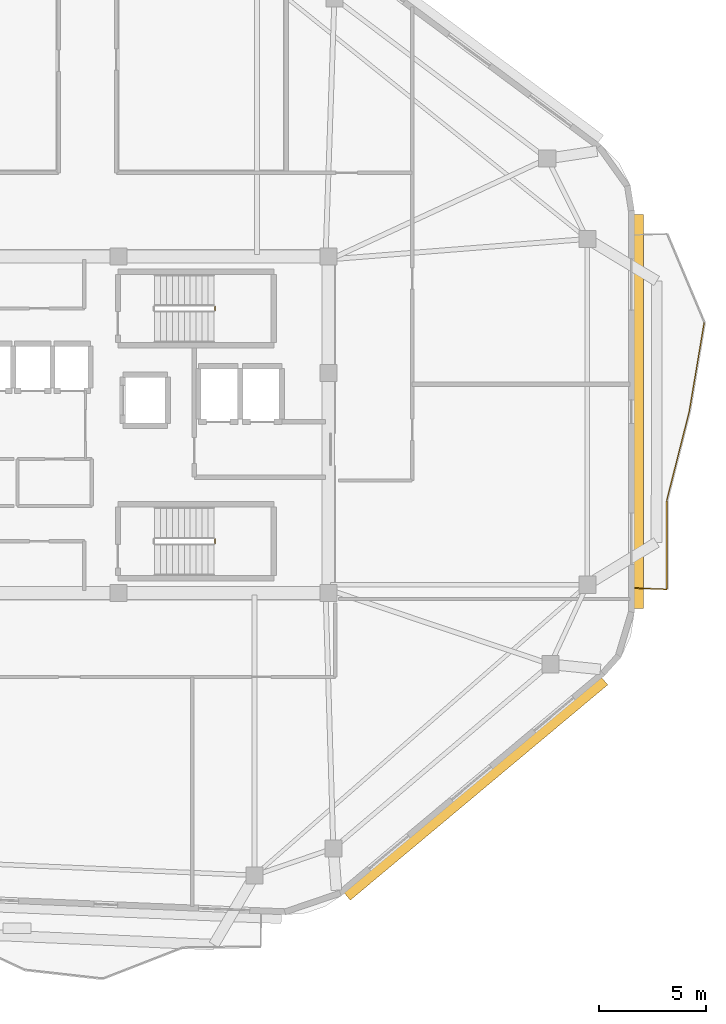
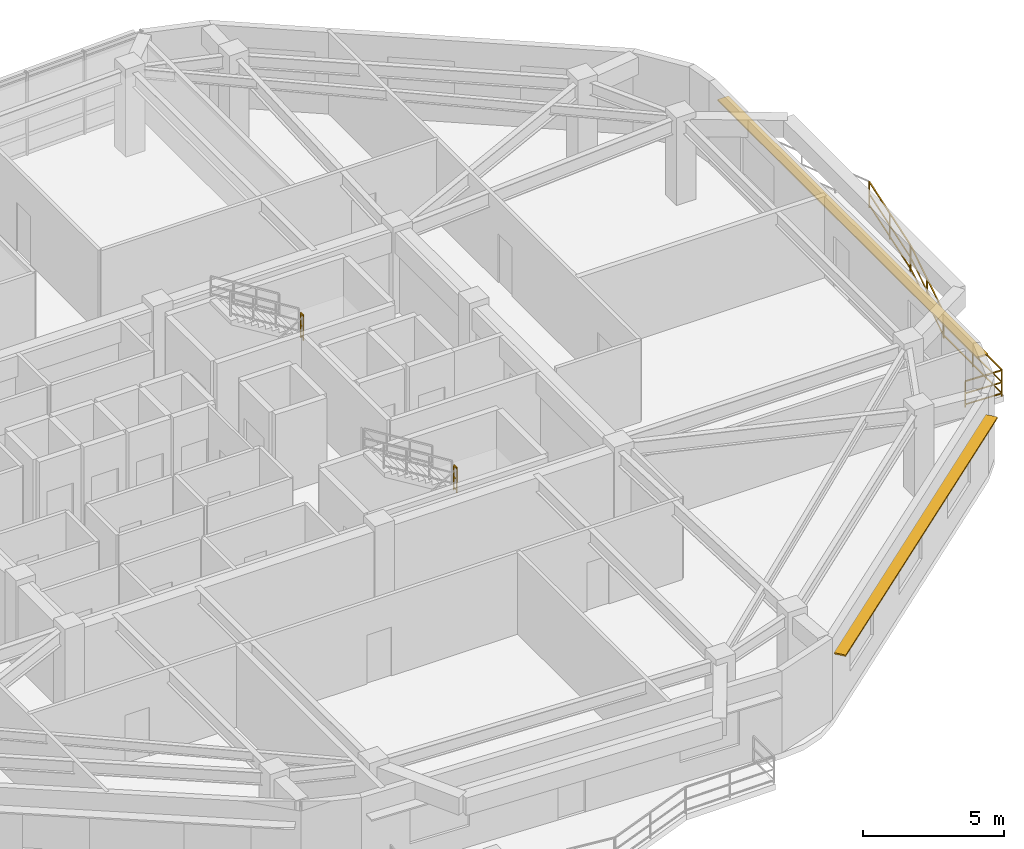
# One storey, part 11 of 12: 6 railings, 2 shading devices.
"""IFC4 building model written with IfcOpenShell, lengths in metres."""

from ifc_helpers import new_model, si_unit, direction, frame, origin, origin_2d, place, context, subcontext, project, spatial, rectangle, extrude, material, layer, layer_set, type_object, element, save


model = new_model("IFC4")

# Units and contexts
model_context = context("Model", 3, precision=1e-05, world=origin(), true_north=direction((0.0, 1.0)))
body_context = subcontext(model_context, "Body", "Model", "MODEL_VIEW")
ifc_project = project(units=[si_unit("LENGTHUNIT", "METRE"), si_unit("AREAUNIT", "SQUARE_METRE"), si_unit("VOLUMEUNIT", "CUBIC_METRE"), si_unit("PLANEANGLEUNIT", "RADIAN"), si_unit("MASSUNIT", "GRAM", prefix="KILO")], contexts=[model_context])

# Site, building, storey
site_placement = place(None, origin())
site = spatial("IfcSite", under=ifc_project, at=site_placement, CompositionType="ELEMENT")
building_placement = place(site_placement, origin())
building = spatial("IfcBuilding", under=site, at=building_placement, Name="Zulverin Broadcast Headquarters", CompositionType="ELEMENT")
storey_placement = place(building_placement, frame((0.0, 0.0, 285.800048828125)))
storey = spatial("IfcBuildingStorey", under=building, at=storey_placement, Name="L73", CompositionType="ELEMENT", Elevation=285.800048828125)

# Railings
ifc_material_1 = material(Name="Brushed stainless steel & laminated glass balustrade", Category="steel")
railing_type_1 = type_object("IfcRailingType", Name="RL-GUARD-1150", PredefinedType="GUARDRAIL", material=ifc_material_1)
railing_1_placement = place(storey_placement, frame((62.639892578125, 17.555419921875, 0.0)))
element("IfcRailing", 1, at=railing_1_placement, inside=storey, type_object=railing_type_1, Name="L73 Vertical-Forest Balcony Guardrail BAL_E Segment 01", PredefinedType="GUARDRAIL", context=body_context, shape_type="SweptSolid", body=[
    extrude(rectangle(XDim=0.048095703125, YDim=0.048095703125, at=origin_2d()), frame((0.0, 0.0, 1.1259765625), z_axis=(0.999181155166, -0.040460093435, 0.0), x_axis=(0.040460093435, 0.999181155166, 0.0)), (0.0, 0.0, 1.0), 1.46630859375),
    extrude(rectangle(XDim=0.0419921875, YDim=0.0419921875, at=origin_2d()), frame((0.0, 0.0, 0.597900390625), z_axis=(0.999181155166, -0.040460093435, 0.0), x_axis=(0.040460093435, 0.999181155166, 0.0)), (0.0, 0.0, 1.0), 1.46630859375),
    extrude(rectangle(XDim=0.0419921875, YDim=0.0419921875, at=origin_2d()), frame((0.0, 0.0, 0.1201171875), z_axis=(0.999181155166, -0.040460093435, 0.0), x_axis=(0.040460093435, 0.999181155166, 0.0)), (0.0, 0.0, 1.0), 1.46630859375),
    extrude(rectangle(XDim=0.0419921875, YDim=0.0419921875, at=origin_2d()), origin(), (0.0, 0.0, 1.0), 1.101806640625),
    extrude(rectangle(XDim=0.0419921875, YDim=0.0419921875, at=origin_2d()), frame((1.465087890625, -0.059326171875, 0.0)), (0.0, 0.0, 1.0), 1.101806640625),
])
railing_2_placement = place(storey_placement, frame((64.1201171875, 17.510498046875, 0.0)))
element("IfcRailing", 2, at=railing_2_placement, inside=storey, type_object=railing_type_1, Name="L73 Vertical-Forest Balcony Guardrail BAL_E Segment 02", PredefinedType="GUARDRAIL", context=body_context, shape_type="SweptSolid", body=[
    extrude(rectangle(XDim=0.048095703125, YDim=0.048095703125, at=origin_2d()), frame((0.0, 0.0, 1.1259765625), z_axis=(0.0, 1.0, 0.0), x_axis=(-1.0, 0.0, 0.0)), (0.0, 0.0, 1.0), 4.133544921875),
    extrude(rectangle(XDim=0.0419921875, YDim=0.0419921875, at=origin_2d()), frame((0.0, 0.0, 0.597900390625), z_axis=(0.0, 1.0, 0.0), x_axis=(-1.0, 0.0, 0.0)), (0.0, 0.0, 1.0), 4.133544921875),
    extrude(rectangle(XDim=0.0419921875, YDim=0.0419921875, at=origin_2d()), frame((0.0, 0.0, 0.1201171875), z_axis=(0.0, 1.0, 0.0), x_axis=(-1.0, 0.0, 0.0)), (0.0, 0.0, 1.0), 4.133544921875),
    extrude(rectangle(XDim=0.0419921875, YDim=0.0419921875, at=origin_2d()), origin(), (0.0, 0.0, 1.0), 1.101806640625),
    extrude(rectangle(XDim=0.0419921875, YDim=0.0419921875, at=origin_2d()), frame((0.0, 2.06689453125, 0.0)), (0.0, 0.0, 1.0), 1.101806640625),
    extrude(rectangle(XDim=0.0419921875, YDim=0.0419921875, at=origin_2d()), frame((0.0, 4.133544921875, 0.0)), (0.0, 0.0, 1.0), 1.101806640625),
])
railing_3_placement = place(storey_placement, frame((64.123779296875, 21.673583984375, 0.0)))
element("IfcRailing", 3, at=railing_3_placement, inside=storey, type_object=railing_type_1, Name="L73 Vertical-Forest Balcony Guardrail BAL_E Segment 03", PredefinedType="GUARDRAIL", context=body_context, shape_type="SweptSolid", body=[
    extrude(rectangle(XDim=0.048095703125, YDim=0.048095703125, at=origin_2d()), frame((0.0, 0.0, 1.1259765625), z_axis=(0.245336068755, 0.96943809156, 0.0), x_axis=(-0.96943809156, 0.245336068755, 0.0)), (0.0, 0.0, 1.0), 4.26513671875),
    extrude(rectangle(XDim=0.0419921875, YDim=0.0419921875, at=origin_2d()), frame((0.0, 0.0, 0.597900390625), z_axis=(0.245336068755, 0.96943809156, 0.0), x_axis=(-0.96943809156, 0.245336068755, 0.0)), (0.0, 0.0, 1.0), 4.26513671875),
    extrude(rectangle(XDim=0.0419921875, YDim=0.0419921875, at=origin_2d()), frame((0.0, 0.0, 0.1201171875), z_axis=(0.245336068755, 0.96943809156, 0.0), x_axis=(-0.96943809156, 0.245336068755, 0.0)), (0.0, 0.0, 1.0), 4.26513671875),
    extrude(rectangle(XDim=0.0419921875, YDim=0.0419921875, at=origin_2d()), origin(), (0.0, 0.0, 1.0), 1.101806640625),
    extrude(rectangle(XDim=0.0419921875, YDim=0.0419921875, at=origin_2d()), frame((0.523193359375, 2.0673828125, 0.0)), (0.0, 0.0, 1.0), 1.101806640625),
    extrude(rectangle(XDim=0.0419921875, YDim=0.0419921875, at=origin_2d()), frame((1.04638671875, 4.134765625, 0.0)), (0.0, 0.0, 1.0), 1.101806640625),
])
railing_4_placement = place(storey_placement, frame((65.17626953125, 25.837646484375, 0.0)))
element("IfcRailing", 4, at=railing_4_placement, inside=storey, type_object=railing_type_1, Name="L73 Vertical-Forest Balcony Guardrail BAL_E Segment 04", PredefinedType="GUARDRAIL", context=body_context, shape_type="SweptSolid", body=[
    extrude(rectangle(XDim=0.048095703125, YDim=0.048095703125, at=origin_2d()), frame((0.0, 0.0, 1.1259765625), z_axis=(0.16586263342, 0.986148866467, 0.0), x_axis=(-0.986148866467, 0.16586263342, 0.0)), (0.0, 0.0, 1.0), 4.192138671875),
    extrude(rectangle(XDim=0.0419921875, YDim=0.0419921875, at=origin_2d()), frame((0.0, 0.0, 0.597900390625), z_axis=(0.16586263342, 0.986148866467, 0.0), x_axis=(-0.986148866467, 0.16586263342, 0.0)), (0.0, 0.0, 1.0), 4.192138671875),
    extrude(rectangle(XDim=0.0419921875, YDim=0.0419921875, at=origin_2d()), frame((0.0, 0.0, 0.1201171875), z_axis=(0.16586263342, 0.986148866467, 0.0), x_axis=(-0.986148866467, 0.16586263342, 0.0)), (0.0, 0.0, 1.0), 4.192138671875),
    extrude(rectangle(XDim=0.0419921875, YDim=0.0419921875, at=origin_2d()), origin(), (0.0, 0.0, 1.0), 1.101806640625),
    extrude(rectangle(XDim=0.0419921875, YDim=0.0419921875, at=origin_2d()), frame((0.34765625, 2.06689453125, 0.0)), (0.0, 0.0, 1.0), 1.101806640625),
    extrude(rectangle(XDim=0.0419921875, YDim=0.0419921875, at=origin_2d()), frame((0.6953125, 4.134033203125, 0.0)), (0.0, 0.0, 1.0), 1.101806640625),
])
ifc_material_2 = material(Name="Painted galvanized steel tubular guardrail S355JR", Category="steel")
railing_type_2 = type_object("IfcRailingType", Name="RL-ST-GUARD", PredefinedType="GUARDRAIL", material=ifc_material_2)
railing_5_placement = place(storey_placement, frame((42.97998046875, 30.550048828125, 1.89990234375)))
element("IfcRailing", 5, at=railing_5_placement, inside=storey, type_object=railing_type_2, Name="L73 ST-1 stair guard 2", PredefinedType="GUARDRAIL", context=body_context, shape_type="SweptSolid", body=[
    extrude(rectangle(XDim=0.048095703125, YDim=0.048095703125, at=origin_2d()), frame((0.0, 0.0, 1.076171875), z_axis=(0.0, 1.0, 0.0), x_axis=(-1.0, 0.0, 0.0)), (0.0, 0.0, 1.0), 0.199951171875),
    extrude(rectangle(XDim=0.0419921875, YDim=0.0419921875, at=origin_2d()), frame((0.0, 0.0, 0.572021484375), z_axis=(0.0, 1.0, 0.0), x_axis=(-1.0, 0.0, 0.0)), (0.0, 0.0, 1.0), 0.199951171875),
    extrude(rectangle(XDim=0.0419921875, YDim=0.0419921875, at=origin_2d()), frame((0.0, 0.0, 0.1201171875), z_axis=(0.0, 1.0, 0.0), x_axis=(-1.0, 0.0, 0.0)), (0.0, 0.0, 1.0), 0.199951171875),
    extrude(rectangle(XDim=0.0419921875, YDim=0.0419921875, at=origin_2d()), origin(), (0.0, 0.0, 1.0), 1.052001953125),
    extrude(rectangle(XDim=0.0419921875, YDim=0.0419921875, at=origin_2d()), frame((0.0, 0.199951171875, 0.0)), (0.0, 0.0, 1.0), 1.052001953125),
])
railing_6_placement = place(storey_placement, frame((42.97998046875, 19.64990234375, 1.89990234375)))
element("IfcRailing", 6, at=railing_6_placement, inside=storey, type_object=railing_type_2, Name="L73 ST-2 stair guard 2", PredefinedType="GUARDRAIL", context=body_context, shape_type="SweptSolid", body=[
    extrude(rectangle(XDim=0.048095703125, YDim=0.048095703125, at=origin_2d()), frame((0.0, 0.0, 1.076171875), z_axis=(0.0, 1.0, 0.0), x_axis=(-1.0, 0.0, 0.0)), (0.0, 0.0, 1.0), 0.2001953125),
    extrude(rectangle(XDim=0.0419921875, YDim=0.0419921875, at=origin_2d()), frame((0.0, 0.0, 0.572021484375), z_axis=(0.0, 1.0, 0.0), x_axis=(-1.0, 0.0, 0.0)), (0.0, 0.0, 1.0), 0.2001953125),
    extrude(rectangle(XDim=0.0419921875, YDim=0.0419921875, at=origin_2d()), frame((0.0, 0.0, 0.1201171875), z_axis=(0.0, 1.0, 0.0), x_axis=(-1.0, 0.0, 0.0)), (0.0, 0.0, 1.0), 0.2001953125),
    extrude(rectangle(XDim=0.0419921875, YDim=0.0419921875, at=origin_2d()), origin(), (0.0, 0.0, 1.0), 1.052001953125),
    extrude(rectangle(XDim=0.0419921875, YDim=0.0419921875, at=origin_2d()), frame((0.0, 0.2001953125, 0.0)), (0.0, 0.0, 1.0), 1.052001953125),
])

# Shading devices
ifc_material_3 = material(Name="Anodized pale-metal aluminium sunshade", Category="aluminium")
ifc_layer = layer(ifc_material_3, 0.06005859375, Name="Anodized pale-metal aluminium sunshade", Category="aluminium")
ifc_layer_set = layer_set([ifc_layer], Name="Anodized pale-metal aluminium sunshade")
shading_device_type = type_object("IfcShadingDeviceType", Name="SS-01_PALE_METAL_ALUMINIUM_SUNSHADE", PredefinedType="USERDEFINED", material=ifc_layer_set)
shading_device_1_placement = place(storey_placement, frame((55.186767578125, 8.158203125, 2.7099609375), z_axis=(0.0, 0.0, 1.0), x_axis=(0.76703526936, 0.641604937292, 0.0)))
element("IfcShadingDevice", 7, at=shading_device_1_placement, inside=storey, type_object=shading_device_type, Name="L73 Horizontal Pale-Metal Sunshade Band 2", ObjectType="SUNSHADE", PredefinedType="USERDEFINED", context=body_context, shape_type="SweptSolid", body=[
    extrude(rectangle(XDim=15.71337890625, YDim=0.449951171875, at=origin_2d()), origin(), (0.0, 0.0, 1.0), 0.06005859375),
])
shading_device_2_placement = place(storey_placement, frame((62.800048828125, 25.82275390625, 2.7099609375), z_axis=(0.0, 0.0, 1.0), x_axis=(0.0, 1.0, 0.0)))
element("IfcShadingDevice", 8, at=shading_device_2_placement, inside=storey, type_object=shading_device_type, Name="L73 Horizontal Pale-Metal Sunshade Band 3", ObjectType="SUNSHADE", PredefinedType="USERDEFINED", context=body_context, shape_type="SweptSolid", body=[
    extrude(rectangle(XDim=18.45458984375, YDim=0.449951171875, at=origin_2d()), origin(), (0.0, 0.0, 1.0), 0.06005859375),
])

save(model, "model.ifc")
